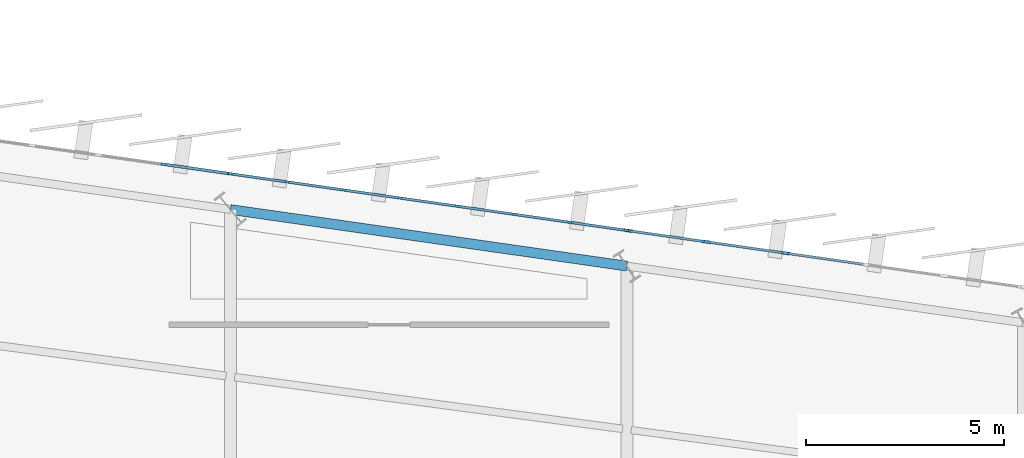
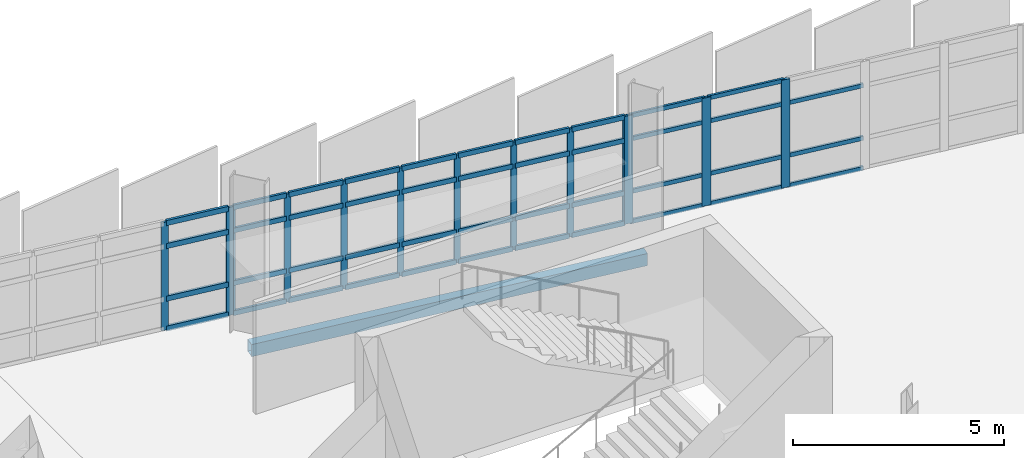
# One storey, part 71 of 120: 56 members, 1 beam, 3 elements without a shape of their own.
"""IFC4 building model written with IfcOpenShell, lengths in metres."""

from ifc_helpers import new_model, si_unit, direction, frame, origin, origin_2d, place, context, subcontext, project, spatial, rectangle, hollow_rectangle, extrude, material, layer, layer_set, material_profile, profile_set, type_object, element, aggregate, save


model = new_model("IFC4")

# Units and contexts
model_context = context("Model", 3, precision=1e-05, world=origin(), true_north=direction((0.0, 1.0)))
body_context = subcontext(model_context, "Body", "Model", "MODEL_VIEW")
ifc_project = project(units=[si_unit("LENGTHUNIT", "METRE"), si_unit("AREAUNIT", "SQUARE_METRE"), si_unit("VOLUMEUNIT", "CUBIC_METRE"), si_unit("PLANEANGLEUNIT", "RADIAN"), si_unit("MASSUNIT", "GRAM", prefix="KILO")], contexts=[model_context])

# Site, building, storey
site_placement = place(None, origin())
site = spatial("IfcSite", under=ifc_project, at=site_placement, CompositionType="ELEMENT")
building_placement = place(site_placement, origin())
building = spatial("IfcBuilding", under=site, at=building_placement, Name="Sohan Crest Arena", CompositionType="ELEMENT")
storey_placement = place(building_placement, frame((0.0, 0.0, 13.5)))
storey = spatial("IfcBuildingStorey", under=building, at=storey_placement, Name="L03", CompositionType="ELEMENT", Elevation=13.5)

# Curtain wall, members
ifc_material_1 = material(Name="Thermally broken anodised aluminium", Category="aluminium")
ifc_layer_1 = layer(ifc_material_1, 0.18994140625, Name="Thermally broken anodised aluminium")
ifc_layer_set_1 = layer_set([ifc_layer_1], Name="Thermally broken anodised aluminium")
curtain_wall_type_1 = type_object("IfcCurtainWallType", Name="ARC-CW05", PredefinedType="NOTDEFINED", material=ifc_layer_set_1)
curtain_wall_1_placement = place(storey_placement, origin())
curtain_wall_1 = element("IfcCurtainWall", 1, at=curtain_wall_1_placement, inside=storey, type_object=curtain_wall_type_1, Name="Unitised curtain wall CW-106", PredefinedType="NOTDEFINED")
ifc_material_profile_1 = material_profile(ifc_material_1, rectangle(XDim=0.06005859375, YDim=0.159912109375, at=origin_2d()), Name="ALU-MULL 60x160")
ifc_profile_set_1 = profile_set([ifc_material_profile_1], Name="Thermally broken anodised aluminium")
member_type_1 = type_object("IfcMemberType", Name="ARC-CW-ML01", PredefinedType="MULLION", material=ifc_profile_set_1)
member_1_placement = place(storey_placement, frame((157.97021484375, 118.333251953125, 0.0), z_axis=(0.0, 0.0, 1.0), x_axis=(-0.141365918403, -0.989957411768, 0.0)))
member_1 = element("IfcMember", 2, at=member_1_placement, type_object=member_type_1, Name="CW-106 mullion 1", PredefinedType="MULLION", context=body_context, shape_type="SweptSolid", body=[
    extrude(rectangle(XDim=0.06005859375, YDim=0.159912109375, at=origin_2d()), origin(), (0.0, 0.0, 1.0), 3.1201171875),
])
member_2_placement = place(storey_placement, frame((156.571533203125, 118.532958984375, 0.0), z_axis=(0.0, 0.0, 1.0), x_axis=(-0.141365918403, -0.989957411768, 0.0)))
member_2 = element("IfcMember", 3, at=member_2_placement, type_object=member_type_1, Name="CW-106 mullion 2", PredefinedType="MULLION", context=body_context, shape_type="SweptSolid", body=[
    extrude(rectangle(XDim=0.06005859375, YDim=0.159912109375, at=origin_2d()), origin(), (0.0, 0.0, 1.0), 3.1201171875),
])
member_3_placement = place(storey_placement, frame((155.142822265625, 118.737060546875, 0.0), z_axis=(0.0, 0.0, 1.0), x_axis=(-0.141365918403, -0.989957411768, 0.0)))
member_3 = element("IfcMember", 4, at=member_3_placement, type_object=member_type_1, Name="CW-106 mullion 3", PredefinedType="MULLION", context=body_context, shape_type="SweptSolid", body=[
    extrude(rectangle(XDim=0.06005859375, YDim=0.159912109375, at=origin_2d()), origin(), (0.0, 0.0, 1.0), 3.1201171875),
])
member_4_placement = place(storey_placement, frame((153.71435546875, 118.94091796875, 0.0), z_axis=(0.0, 0.0, 1.0), x_axis=(-0.141365918403, -0.989957411768, 0.0)))
member_4 = element("IfcMember", 5, at=member_4_placement, type_object=member_type_1, Name="CW-106 mullion 4", PredefinedType="MULLION", context=body_context, shape_type="SweptSolid", body=[
    extrude(rectangle(XDim=0.06005859375, YDim=0.159912109375, at=origin_2d()), origin(), (0.0, 0.0, 1.0), 3.1201171875),
])
member_5_placement = place(storey_placement, frame((152.28564453125, 119.14501953125, 0.0), z_axis=(0.0, 0.0, 1.0), x_axis=(-0.141365918403, -0.989957411768, 0.0)))
member_5 = element("IfcMember", 6, at=member_5_placement, type_object=member_type_1, Name="CW-106 mullion 5", PredefinedType="MULLION", context=body_context, shape_type="SweptSolid", body=[
    extrude(rectangle(XDim=0.06005859375, YDim=0.159912109375, at=origin_2d()), origin(), (0.0, 0.0, 1.0), 3.1201171875),
])
member_6_placement = place(storey_placement, frame((150.857177734375, 119.34912109375, 0.0), z_axis=(0.0, 0.0, 1.0), x_axis=(-0.141365918403, -0.989957411768, 0.0)))
member_6 = element("IfcMember", 7, at=member_6_placement, type_object=member_type_1, Name="CW-106 mullion 6", PredefinedType="MULLION", context=body_context, shape_type="SweptSolid", body=[
    extrude(rectangle(XDim=0.06005859375, YDim=0.159912109375, at=origin_2d()), origin(), (0.0, 0.0, 1.0), 3.1201171875),
])
member_7_placement = place(storey_placement, frame((149.428466796875, 119.552978515625, 0.0), z_axis=(0.0, 0.0, 1.0), x_axis=(-0.141365918403, -0.989957411768, 0.0)))
member_7 = element("IfcMember", 8, at=member_7_placement, type_object=member_type_1, Name="CW-106 mullion 7", PredefinedType="MULLION", context=body_context, shape_type="SweptSolid", body=[
    extrude(rectangle(XDim=0.06005859375, YDim=0.159912109375, at=origin_2d()), origin(), (0.0, 0.0, 1.0), 3.1201171875),
])
member_8_placement = place(storey_placement, frame((148.02978515625, 119.752685546875, 0.0), z_axis=(0.0, 0.0, 1.0), x_axis=(-0.141365918403, -0.989957411768, 0.0)))
member_8 = element("IfcMember", 9, at=member_8_placement, type_object=member_type_1, Name="CW-106 mullion 8", PredefinedType="MULLION", context=body_context, shape_type="SweptSolid", body=[
    extrude(rectangle(XDim=0.06005859375, YDim=0.159912109375, at=origin_2d()), origin(), (0.0, 0.0, 1.0), 3.1201171875),
])

ifc_layer_2 = layer(ifc_material_1, 0.2099609375, Name="Thermally broken anodised aluminium")
ifc_layer_set_2 = layer_set([ifc_layer_2], Name="Thermally broken anodised aluminium")
curtain_wall_type_2 = type_object("IfcCurtainWallType", Name="ARC-CW06", PredefinedType="NOTDEFINED", material=ifc_layer_set_2)
curtain_wall_2_placement = place(storey_placement, origin())
curtain_wall_2 = element("IfcCurtainWall", 10, at=curtain_wall_2_placement, inside=storey, type_object=curtain_wall_type_2, Name="Unitised curtain wall CW-107", PredefinedType="NOTDEFINED")
ifc_material_profile_2 = material_profile(ifc_material_1, rectangle(XDim=0.06494140625, YDim=0.179931640625, at=origin_2d()), Name="ALU-MULL 65x180")
ifc_profile_set_2 = profile_set([ifc_material_profile_2], Name="Thermally broken anodised aluminium")
member_type_2 = type_object("IfcMemberType", Name="ARC-CW-ML02", PredefinedType="MULLION", material=ifc_profile_set_2)
member_9_placement = place(storey_placement, frame((147.9677734375, 119.76171875, 0.0), z_axis=(0.0, 0.0, 1.0), x_axis=(-0.141462933734, -0.989943553128, 0.0)))
member_9 = element("IfcMember", 11, at=member_9_placement, type_object=member_type_2, Name="CW-107 mullion 1", PredefinedType="MULLION", context=body_context, shape_type="SweptSolid", body=[
    extrude(rectangle(XDim=0.06494140625, YDim=0.179931640625, at=origin_2d()), origin(), (0.0, 0.0, 1.0), 3.1201171875),
])
member_10_placement = place(storey_placement, frame((146.333251953125, 119.9951171875, 0.0), z_axis=(0.0, 0.0, 1.0), x_axis=(-0.141462933734, -0.989943553128, 0.0)))
member_10 = element("IfcMember", 12, at=member_10_placement, type_object=member_type_2, Name="CW-107 mullion 2", PredefinedType="MULLION", context=body_context, shape_type="SweptSolid", body=[
    extrude(rectangle(XDim=0.06494140625, YDim=0.179931640625, at=origin_2d()), origin(), (0.0, 0.0, 1.0), 3.1201171875),
])

ifc_layer_3 = layer(ifc_material_1, 0.239990234375, Name="Thermally broken anodised aluminium")
ifc_layer_set_3 = layer_set([ifc_layer_3], Name="Thermally broken anodised aluminium")
curtain_wall_type_3 = type_object("IfcCurtainWallType", Name="ARC-CW04", PredefinedType="NOTDEFINED", material=ifc_layer_set_3)
curtain_wall_3_placement = place(storey_placement, origin())
curtain_wall_3 = element("IfcCurtainWall", 13, at=curtain_wall_3_placement, inside=storey, type_object=curtain_wall_type_3, Name="Unitised curtain wall CW-105", PredefinedType="NOTDEFINED")
ifc_material_profile_3 = material_profile(ifc_material_1, rectangle(XDim=0.074951171875, YDim=0.219970703125, at=origin_2d()), Name="ALU-MULL 75x220")
ifc_profile_set_3 = profile_set([ifc_material_profile_3], Name="Thermally broken anodised aluminium")
member_type_3 = type_object("IfcMemberType", Name="ARC-CW-ML04", PredefinedType="MULLION", material=ifc_profile_set_3)
member_11_placement = place(storey_placement, frame((162.0, 117.75732421875, 0.0), z_axis=(0.0, 0.0, 1.0), x_axis=(-0.141462933734, -0.989943553128, 0.0)))
member_11 = element("IfcMember", 14, at=member_11_placement, type_object=member_type_3, Name="CW-105 mullion 4", PredefinedType="MULLION", context=body_context, shape_type="SweptSolid", body=[
    extrude(rectangle(XDim=0.074951171875, YDim=0.219970703125, at=origin_2d()), origin(), (0.0, 0.0, 1.0), 3.1201171875),
])
member_12_placement = place(storey_placement, frame((160.0, 118.043212890625, 0.0), z_axis=(0.0, 0.0, 1.0), x_axis=(-0.141462933734, -0.989943553128, 0.0)))
member_12 = element("IfcMember", 15, at=member_12_placement, type_object=member_type_3, Name="CW-105 mullion 5", PredefinedType="MULLION", context=body_context, shape_type="SweptSolid", body=[
    extrude(rectangle(XDim=0.074951171875, YDim=0.219970703125, at=origin_2d()), origin(), (0.0, 0.0, 1.0), 3.1201171875),
])
member_13_placement = place(storey_placement, frame((158.037109375, 118.32373046875, 0.0), z_axis=(0.0, 0.0, 1.0), x_axis=(-0.141462933734, -0.989943553128, 0.0)))
member_13 = element("IfcMember", 16, at=member_13_placement, type_object=member_type_3, Name="CW-105 mullion 6", PredefinedType="MULLION", context=body_context, shape_type="SweptSolid", body=[
    extrude(rectangle(XDim=0.074951171875, YDim=0.219970703125, at=origin_2d()), origin(), (0.0, 0.0, 1.0), 3.1201171875),
])
ifc_material_profile_4 = material_profile(ifc_material_1, rectangle(XDim=0.06005859375, YDim=0.1201171875, at=origin_2d()), Name="ALU-TRAN 60x120")
ifc_profile_set_4 = profile_set([ifc_material_profile_4], Name="Thermally broken anodised aluminium")
member_type_4 = type_object("IfcMemberType", Name="ARC-CW-TR01", PredefinedType="USERDEFINED", material=ifc_profile_set_4)
member_14_placement = place(storey_placement, frame((163.962890625, 117.476806640625, 0.030029296875), z_axis=(-0.989929403979, 0.141561912739, 0.0), x_axis=(-0.141561912739, -0.989929403979, 0.0)))
member_14 = element("IfcMember", 17, at=member_14_placement, type_object=member_type_4, Name="CW-105 transom 3.1", ObjectType="TRANSOM", PredefinedType="USERDEFINED", context=body_context, shape_type="SweptSolid", body=[
    extrude(rectangle(XDim=0.06005859375, YDim=0.1201171875, at=origin_2d()), origin(), (0.0, 0.0, 1.0), 1.9453125),
])
member_15_placement = place(storey_placement, frame((163.962890625, 117.476806640625, 0.89990234375), z_axis=(-0.989929403979, 0.141561912739, 0.0), x_axis=(-0.141561912739, -0.989929403979, 0.0)))
member_15 = element("IfcMember", 18, at=member_15_placement, type_object=member_type_4, Name="CW-105 transom 3.2", ObjectType="TRANSOM", PredefinedType="USERDEFINED", context=body_context, shape_type="SweptSolid", body=[
    extrude(rectangle(XDim=0.06005859375, YDim=0.1201171875, at=origin_2d()), origin(), (0.0, 0.0, 1.0), 1.9453125),
])
member_16_placement = place(storey_placement, frame((163.962890625, 117.476806640625, 2.419921875), z_axis=(-0.989929403979, 0.141561912739, 0.0), x_axis=(-0.141561912739, -0.989929403979, 0.0)))
member_16 = element("IfcMember", 19, at=member_16_placement, type_object=member_type_4, Name="CW-105 transom 3.3", ObjectType="TRANSOM", PredefinedType="USERDEFINED", context=body_context, shape_type="SweptSolid", body=[
    extrude(rectangle(XDim=0.06005859375, YDim=0.1201171875, at=origin_2d()), origin(), (0.0, 0.0, 1.0), 1.9453125),
])
member_17_placement = place(storey_placement, frame((161.962890625, 117.7626953125, 0.030029296875), z_axis=(-0.989946983498, 0.141438926268, 0.0), x_axis=(-0.141438926268, -0.989946983498, 0.0)))
member_17 = element("IfcMember", 20, at=member_17_placement, type_object=member_type_4, Name="CW-105 transom 4.1", ObjectType="TRANSOM", PredefinedType="USERDEFINED", context=body_context, shape_type="SweptSolid", body=[
    extrude(rectangle(XDim=0.06005859375, YDim=0.1201171875, at=origin_2d()), origin(), (0.0, 0.0, 1.0), 1.9453125),
])
member_18_placement = place(storey_placement, frame((161.962890625, 117.7626953125, 0.89990234375), z_axis=(-0.989946983498, 0.141438926268, 0.0), x_axis=(-0.141438926268, -0.989946983498, 0.0)))
member_18 = element("IfcMember", 21, at=member_18_placement, type_object=member_type_4, Name="CW-105 transom 4.2", ObjectType="TRANSOM", PredefinedType="USERDEFINED", context=body_context, shape_type="SweptSolid", body=[
    extrude(rectangle(XDim=0.06005859375, YDim=0.1201171875, at=origin_2d()), origin(), (0.0, 0.0, 1.0), 1.9453125),
])
member_19_placement = place(storey_placement, frame((161.962890625, 117.7626953125, 2.419921875), z_axis=(-0.989946983498, 0.141438926268, 0.0), x_axis=(-0.141438926268, -0.989946983498, 0.0)))
member_19 = element("IfcMember", 22, at=member_19_placement, type_object=member_type_4, Name="CW-105 transom 4.3", ObjectType="TRANSOM", PredefinedType="USERDEFINED", context=body_context, shape_type="SweptSolid", body=[
    extrude(rectangle(XDim=0.06005859375, YDim=0.1201171875, at=origin_2d()), origin(), (0.0, 0.0, 1.0), 1.9453125),
])
member_20_placement = place(storey_placement, frame((161.962890625, 117.7626953125, 3.090087890625), z_axis=(-0.989946983498, 0.141438926268, 0.0), x_axis=(-0.141438926268, -0.989946983498, 0.0)))
member_20 = element("IfcMember", 23, at=member_20_placement, type_object=member_type_4, Name="CW-105 transom 4.4", ObjectType="TRANSOM", PredefinedType="USERDEFINED", context=body_context, shape_type="SweptSolid", body=[
    extrude(rectangle(XDim=0.06005859375, YDim=0.1201171875, at=origin_2d()), origin(), (0.0, 0.0, 1.0), 1.9453125),
])
member_21_placement = place(storey_placement, frame((159.962890625, 118.048583984375, 0.030029296875), z_axis=(-0.989952052837, 0.141403440846, 0.0), x_axis=(-0.141403440846, -0.989952052837, 0.0)))
member_21 = element("IfcMember", 24, at=member_21_placement, type_object=member_type_4, Name="CW-105 transom 5.1", ObjectType="TRANSOM", PredefinedType="USERDEFINED", context=body_context, shape_type="SweptSolid", body=[
    extrude(rectangle(XDim=0.06005859375, YDim=0.1201171875, at=origin_2d()), origin(), (0.0, 0.0, 1.0), 1.907958984375),
])
member_22_placement = place(storey_placement, frame((159.962890625, 118.048583984375, 0.89990234375), z_axis=(-0.989952052837, 0.141403440846, 0.0), x_axis=(-0.141403440846, -0.989952052837, 0.0)))
member_22 = element("IfcMember", 25, at=member_22_placement, type_object=member_type_4, Name="CW-105 transom 5.2", ObjectType="TRANSOM", PredefinedType="USERDEFINED", context=body_context, shape_type="SweptSolid", body=[
    extrude(rectangle(XDim=0.06005859375, YDim=0.1201171875, at=origin_2d()), origin(), (0.0, 0.0, 1.0), 1.907958984375),
])
member_23_placement = place(storey_placement, frame((159.962890625, 118.048583984375, 2.419921875), z_axis=(-0.989952052837, 0.141403440846, 0.0), x_axis=(-0.141403440846, -0.989952052837, 0.0)))
member_23 = element("IfcMember", 26, at=member_23_placement, type_object=member_type_4, Name="CW-105 transom 5.3", ObjectType="TRANSOM", PredefinedType="USERDEFINED", context=body_context, shape_type="SweptSolid", body=[
    extrude(rectangle(XDim=0.06005859375, YDim=0.1201171875, at=origin_2d()), origin(), (0.0, 0.0, 1.0), 1.907958984375),
])
member_24_placement = place(storey_placement, frame((159.962890625, 118.048583984375, 3.090087890625), z_axis=(-0.989952052837, 0.141403440846, 0.0), x_axis=(-0.141403440846, -0.989952052837, 0.0)))
member_24 = element("IfcMember", 27, at=member_24_placement, type_object=member_type_4, Name="CW-105 transom 5.4", ObjectType="TRANSOM", PredefinedType="USERDEFINED", context=body_context, shape_type="SweptSolid", body=[
    extrude(rectangle(XDim=0.06005859375, YDim=0.1201171875, at=origin_2d()), origin(), (0.0, 0.0, 1.0), 1.907958984375),
])
aggregate(curtain_wall_3, [member_11, member_12, member_13, member_14, member_15, member_16, member_17, member_18, member_19, member_20, member_21, member_22, member_23, member_24])

# Member
ifc_material_profile_5 = material_profile(ifc_material_1, rectangle(XDim=0.06494140625, YDim=0.139892578125, at=origin_2d()), Name="ALU-TRAN 65x140")
ifc_profile_set_5 = profile_set([ifc_material_profile_5], Name="Thermally broken anodised aluminium")
member_type_5 = type_object("IfcMemberType", Name="ARC-CW-TR02", PredefinedType="USERDEFINED", material=ifc_profile_set_5)
member_25_placement = place(storey_placement, frame((157.940673828125, 118.33740234375, 0.032470703125), z_axis=(-0.989945885007, 0.141446614515, 0.0), x_axis=(-0.141446614515, -0.989945885007, 0.0)))
member_25 = element("IfcMember", 28, at=member_25_placement, type_object=member_type_5, Name="CW-106 transom 1.1", ObjectType="TRANSOM", PredefinedType="USERDEFINED", context=body_context, shape_type="SweptSolid", body=[
    extrude(rectangle(XDim=0.06494140625, YDim=0.139892578125, at=origin_2d()), origin(), (0.0, 0.0, 1.0), 1.353271484375),
])

member_26_placement = place(storey_placement, frame((157.940673828125, 118.33740234375, 0.89990234375), z_axis=(-0.989945885007, 0.141446614515, 0.0), x_axis=(-0.141446614515, -0.989945885007, 0.0)))
member_26 = element("IfcMember", 29, at=member_26_placement, type_object=member_type_5, Name="CW-106 transom 1.2", ObjectType="TRANSOM", PredefinedType="USERDEFINED", context=body_context, shape_type="SweptSolid", body=[
    extrude(rectangle(XDim=0.06494140625, YDim=0.139892578125, at=origin_2d()), origin(), (0.0, 0.0, 1.0), 1.353271484375),
])

member_27_placement = place(storey_placement, frame((157.940673828125, 118.33740234375, 2.419921875), z_axis=(-0.989945885007, 0.141446614515, 0.0), x_axis=(-0.141446614515, -0.989945885007, 0.0)))
member_27 = element("IfcMember", 30, at=member_27_placement, type_object=member_type_5, Name="CW-106 transom 1.3", ObjectType="TRANSOM", PredefinedType="USERDEFINED", context=body_context, shape_type="SweptSolid", body=[
    extrude(rectangle(XDim=0.06494140625, YDim=0.139892578125, at=origin_2d()), origin(), (0.0, 0.0, 1.0), 1.353271484375),
])

member_28_placement = place(storey_placement, frame((157.940673828125, 118.33740234375, 3.08740234375), z_axis=(-0.989945885007, 0.141446614515, 0.0), x_axis=(-0.141446614515, -0.989945885007, 0.0)))
member_28 = element("IfcMember", 31, at=member_28_placement, type_object=member_type_5, Name="CW-106 transom 1.4", ObjectType="TRANSOM", PredefinedType="USERDEFINED", context=body_context, shape_type="SweptSolid", body=[
    extrude(rectangle(XDim=0.06494140625, YDim=0.139892578125, at=origin_2d()), origin(), (0.0, 0.0, 1.0), 1.353271484375),
])

member_29_placement = place(storey_placement, frame((156.541748046875, 118.537353515625, 0.032470703125), z_axis=(-0.989977718646, 0.14122364032, 0.0), x_axis=(-0.14122364032, -0.989977718646, 0.0)))
member_29 = element("IfcMember", 32, at=member_29_placement, type_object=member_type_5, Name="CW-106 transom 2.1", ObjectType="TRANSOM", PredefinedType="USERDEFINED", context=body_context, shape_type="SweptSolid", body=[
    extrude(rectangle(XDim=0.06494140625, YDim=0.139892578125, at=origin_2d()), origin(), (0.0, 0.0, 1.0), 1.383056640625),
])

member_30_placement = place(storey_placement, frame((156.541748046875, 118.537353515625, 0.89990234375), z_axis=(-0.989977718646, 0.14122364032, 0.0), x_axis=(-0.14122364032, -0.989977718646, 0.0)))
member_30 = element("IfcMember", 33, at=member_30_placement, type_object=member_type_5, Name="CW-106 transom 2.2", ObjectType="TRANSOM", PredefinedType="USERDEFINED", context=body_context, shape_type="SweptSolid", body=[
    extrude(rectangle(XDim=0.06494140625, YDim=0.139892578125, at=origin_2d()), origin(), (0.0, 0.0, 1.0), 1.383056640625),
])

member_31_placement = place(storey_placement, frame((156.541748046875, 118.537353515625, 2.419921875), z_axis=(-0.989977718646, 0.14122364032, 0.0), x_axis=(-0.14122364032, -0.989977718646, 0.0)))
member_31 = element("IfcMember", 34, at=member_31_placement, type_object=member_type_5, Name="CW-106 transom 2.3", ObjectType="TRANSOM", PredefinedType="USERDEFINED", context=body_context, shape_type="SweptSolid", body=[
    extrude(rectangle(XDim=0.06494140625, YDim=0.139892578125, at=origin_2d()), origin(), (0.0, 0.0, 1.0), 1.383056640625),
])

member_32_placement = place(storey_placement, frame((156.541748046875, 118.537353515625, 3.08740234375), z_axis=(-0.989977718646, 0.14122364032, 0.0), x_axis=(-0.14122364032, -0.989977718646, 0.0)))
member_32 = element("IfcMember", 35, at=member_32_placement, type_object=member_type_5, Name="CW-106 transom 2.4", ObjectType="TRANSOM", PredefinedType="USERDEFINED", context=body_context, shape_type="SweptSolid", body=[
    extrude(rectangle(XDim=0.06494140625, YDim=0.139892578125, at=origin_2d()), origin(), (0.0, 0.0, 1.0), 1.383056640625),
])

member_33_placement = place(storey_placement, frame((155.113037109375, 118.7412109375, 0.032470703125), z_axis=(-0.989953023856, 0.141396642673, 0.0), x_axis=(-0.141396642673, -0.989953023856, 0.0)))
member_33 = element("IfcMember", 36, at=member_33_placement, type_object=member_type_5, Name="CW-106 transom 3.1", ObjectType="TRANSOM", PredefinedType="USERDEFINED", context=body_context, shape_type="SweptSolid", body=[
    extrude(rectangle(XDim=0.06494140625, YDim=0.139892578125, at=origin_2d()), origin(), (0.0, 0.0, 1.0), 1.383056640625),
])

member_34_placement = place(storey_placement, frame((155.113037109375, 118.7412109375, 0.89990234375), z_axis=(-0.989953023856, 0.141396642673, 0.0), x_axis=(-0.141396642673, -0.989953023856, 0.0)))
member_34 = element("IfcMember", 37, at=member_34_placement, type_object=member_type_5, Name="CW-106 transom 3.2", ObjectType="TRANSOM", PredefinedType="USERDEFINED", context=body_context, shape_type="SweptSolid", body=[
    extrude(rectangle(XDim=0.06494140625, YDim=0.139892578125, at=origin_2d()), origin(), (0.0, 0.0, 1.0), 1.383056640625),
])

member_35_placement = place(storey_placement, frame((155.113037109375, 118.7412109375, 2.419921875), z_axis=(-0.989953023856, 0.141396642673, 0.0), x_axis=(-0.141396642673, -0.989953023856, 0.0)))
member_35 = element("IfcMember", 38, at=member_35_placement, type_object=member_type_5, Name="CW-106 transom 3.3", ObjectType="TRANSOM", PredefinedType="USERDEFINED", context=body_context, shape_type="SweptSolid", body=[
    extrude(rectangle(XDim=0.06494140625, YDim=0.139892578125, at=origin_2d()), origin(), (0.0, 0.0, 1.0), 1.383056640625),
])

member_36_placement = place(storey_placement, frame((155.113037109375, 118.7412109375, 3.08740234375), z_axis=(-0.989953023856, 0.141396642673, 0.0), x_axis=(-0.141396642673, -0.989953023856, 0.0)))
member_36 = element("IfcMember", 39, at=member_36_placement, type_object=member_type_5, Name="CW-106 transom 3.4", ObjectType="TRANSOM", PredefinedType="USERDEFINED", context=body_context, shape_type="SweptSolid", body=[
    extrude(rectangle(XDim=0.06494140625, YDim=0.139892578125, at=origin_2d()), origin(), (0.0, 0.0, 1.0), 1.383056640625),
])

member_37_placement = place(storey_placement, frame((153.6845703125, 118.9453125, 0.032470703125), z_axis=(-0.989953023856, 0.141396642673, 0.0), x_axis=(-0.141396642673, -0.989953023856, 0.0)))
member_37 = element("IfcMember", 40, at=member_37_placement, type_object=member_type_5, Name="CW-106 transom 4.1", ObjectType="TRANSOM", PredefinedType="USERDEFINED", context=body_context, shape_type="SweptSolid", body=[
    extrude(rectangle(XDim=0.06494140625, YDim=0.139892578125, at=origin_2d()), origin(), (0.0, 0.0, 1.0), 1.383056640625),
])

member_38_placement = place(storey_placement, frame((153.6845703125, 118.9453125, 0.89990234375), z_axis=(-0.989953023856, 0.141396642673, 0.0), x_axis=(-0.141396642673, -0.989953023856, 0.0)))
member_38 = element("IfcMember", 41, at=member_38_placement, type_object=member_type_5, Name="CW-106 transom 4.2", ObjectType="TRANSOM", PredefinedType="USERDEFINED", context=body_context, shape_type="SweptSolid", body=[
    extrude(rectangle(XDim=0.06494140625, YDim=0.139892578125, at=origin_2d()), origin(), (0.0, 0.0, 1.0), 1.383056640625),
])

member_39_placement = place(storey_placement, frame((153.6845703125, 118.9453125, 2.419921875), z_axis=(-0.989953023856, 0.141396642673, 0.0), x_axis=(-0.141396642673, -0.989953023856, 0.0)))
member_39 = element("IfcMember", 42, at=member_39_placement, type_object=member_type_5, Name="CW-106 transom 4.3", ObjectType="TRANSOM", PredefinedType="USERDEFINED", context=body_context, shape_type="SweptSolid", body=[
    extrude(rectangle(XDim=0.06494140625, YDim=0.139892578125, at=origin_2d()), origin(), (0.0, 0.0, 1.0), 1.383056640625),
])

member_40_placement = place(storey_placement, frame((153.6845703125, 118.9453125, 3.08740234375), z_axis=(-0.989953023856, 0.141396642673, 0.0), x_axis=(-0.141396642673, -0.989953023856, 0.0)))
member_40 = element("IfcMember", 43, at=member_40_placement, type_object=member_type_5, Name="CW-106 transom 4.4", ObjectType="TRANSOM", PredefinedType="USERDEFINED", context=body_context, shape_type="SweptSolid", body=[
    extrude(rectangle(XDim=0.06494140625, YDim=0.139892578125, at=origin_2d()), origin(), (0.0, 0.0, 1.0), 1.383056640625),
])

member_41_placement = place(storey_placement, frame((152.256103515625, 119.149169921875, 0.032470703125), z_axis=(-0.989953023856, 0.141396642673, 0.0), x_axis=(-0.141396642673, -0.989953023856, 0.0)))
member_41 = element("IfcMember", 44, at=member_41_placement, type_object=member_type_5, Name="CW-106 transom 5.1", ObjectType="TRANSOM", PredefinedType="USERDEFINED", context=body_context, shape_type="SweptSolid", body=[
    extrude(rectangle(XDim=0.06494140625, YDim=0.139892578125, at=origin_2d()), origin(), (0.0, 0.0, 1.0), 1.383056640625),
])

member_42_placement = place(storey_placement, frame((152.256103515625, 119.149169921875, 0.89990234375), z_axis=(-0.989953023856, 0.141396642673, 0.0), x_axis=(-0.141396642673, -0.989953023856, 0.0)))
member_42 = element("IfcMember", 45, at=member_42_placement, type_object=member_type_5, Name="CW-106 transom 5.2", ObjectType="TRANSOM", PredefinedType="USERDEFINED", context=body_context, shape_type="SweptSolid", body=[
    extrude(rectangle(XDim=0.06494140625, YDim=0.139892578125, at=origin_2d()), origin(), (0.0, 0.0, 1.0), 1.383056640625),
])

member_43_placement = place(storey_placement, frame((152.256103515625, 119.149169921875, 2.419921875), z_axis=(-0.989953023856, 0.141396642673, 0.0), x_axis=(-0.141396642673, -0.989953023856, 0.0)))
member_43 = element("IfcMember", 46, at=member_43_placement, type_object=member_type_5, Name="CW-106 transom 5.3", ObjectType="TRANSOM", PredefinedType="USERDEFINED", context=body_context, shape_type="SweptSolid", body=[
    extrude(rectangle(XDim=0.06494140625, YDim=0.139892578125, at=origin_2d()), origin(), (0.0, 0.0, 1.0), 1.383056640625),
])

member_44_placement = place(storey_placement, frame((152.256103515625, 119.149169921875, 3.08740234375), z_axis=(-0.989953023856, 0.141396642673, 0.0), x_axis=(-0.141396642673, -0.989953023856, 0.0)))
member_44 = element("IfcMember", 47, at=member_44_placement, type_object=member_type_5, Name="CW-106 transom 5.4", ObjectType="TRANSOM", PredefinedType="USERDEFINED", context=body_context, shape_type="SweptSolid", body=[
    extrude(rectangle(XDim=0.06494140625, YDim=0.139892578125, at=origin_2d()), origin(), (0.0, 0.0, 1.0), 1.383056640625),
])

member_45_placement = place(storey_placement, frame((150.827392578125, 119.353271484375, 0.032470703125), z_axis=(-0.989953023856, 0.141396642673, 0.0), x_axis=(-0.141396642673, -0.989953023856, 0.0)))
member_45 = element("IfcMember", 48, at=member_45_placement, type_object=member_type_5, Name="CW-106 transom 6.1", ObjectType="TRANSOM", PredefinedType="USERDEFINED", context=body_context, shape_type="SweptSolid", body=[
    extrude(rectangle(XDim=0.06494140625, YDim=0.139892578125, at=origin_2d()), origin(), (0.0, 0.0, 1.0), 1.383056640625),
])

member_46_placement = place(storey_placement, frame((150.827392578125, 119.353271484375, 0.89990234375), z_axis=(-0.989953023856, 0.141396642673, 0.0), x_axis=(-0.141396642673, -0.989953023856, 0.0)))
member_46 = element("IfcMember", 49, at=member_46_placement, type_object=member_type_5, Name="CW-106 transom 6.2", ObjectType="TRANSOM", PredefinedType="USERDEFINED", context=body_context, shape_type="SweptSolid", body=[
    extrude(rectangle(XDim=0.06494140625, YDim=0.139892578125, at=origin_2d()), origin(), (0.0, 0.0, 1.0), 1.383056640625),
])

member_47_placement = place(storey_placement, frame((150.827392578125, 119.353271484375, 2.419921875), z_axis=(-0.989953023856, 0.141396642673, 0.0), x_axis=(-0.141396642673, -0.989953023856, 0.0)))
member_47 = element("IfcMember", 50, at=member_47_placement, type_object=member_type_5, Name="CW-106 transom 6.3", ObjectType="TRANSOM", PredefinedType="USERDEFINED", context=body_context, shape_type="SweptSolid", body=[
    extrude(rectangle(XDim=0.06494140625, YDim=0.139892578125, at=origin_2d()), origin(), (0.0, 0.0, 1.0), 1.383056640625),
])

member_48_placement = place(storey_placement, frame((150.827392578125, 119.353271484375, 3.08740234375), z_axis=(-0.989953023856, 0.141396642673, 0.0), x_axis=(-0.141396642673, -0.989953023856, 0.0)))
member_48 = element("IfcMember", 51, at=member_48_placement, type_object=member_type_5, Name="CW-106 transom 6.4", ObjectType="TRANSOM", PredefinedType="USERDEFINED", context=body_context, shape_type="SweptSolid", body=[
    extrude(rectangle(XDim=0.06494140625, YDim=0.139892578125, at=origin_2d()), origin(), (0.0, 0.0, 1.0), 1.383056640625),
])

member_49_placement = place(storey_placement, frame((149.39892578125, 119.55712890625, 0.032470703125), z_axis=(-0.989945885007, 0.141446614515, 0.0), x_axis=(-0.141446614515, -0.989945885007, 0.0)))
member_49 = element("IfcMember", 52, at=member_49_placement, type_object=member_type_5, Name="CW-106 transom 7.1", ObjectType="TRANSOM", PredefinedType="USERDEFINED", context=body_context, shape_type="SweptSolid", body=[
    extrude(rectangle(XDim=0.06494140625, YDim=0.139892578125, at=origin_2d()), origin(), (0.0, 0.0, 1.0), 1.353271484375),
])

member_50_placement = place(storey_placement, frame((149.39892578125, 119.55712890625, 0.89990234375), z_axis=(-0.989945885007, 0.141446614515, 0.0), x_axis=(-0.141446614515, -0.989945885007, 0.0)))
member_50 = element("IfcMember", 53, at=member_50_placement, type_object=member_type_5, Name="CW-106 transom 7.2", ObjectType="TRANSOM", PredefinedType="USERDEFINED", context=body_context, shape_type="SweptSolid", body=[
    extrude(rectangle(XDim=0.06494140625, YDim=0.139892578125, at=origin_2d()), origin(), (0.0, 0.0, 1.0), 1.353271484375),
])

member_51_placement = place(storey_placement, frame((149.39892578125, 119.55712890625, 2.419921875), z_axis=(-0.989945885007, 0.141446614515, 0.0), x_axis=(-0.141446614515, -0.989945885007, 0.0)))
member_51 = element("IfcMember", 54, at=member_51_placement, type_object=member_type_5, Name="CW-106 transom 7.3", ObjectType="TRANSOM", PredefinedType="USERDEFINED", context=body_context, shape_type="SweptSolid", body=[
    extrude(rectangle(XDim=0.06494140625, YDim=0.139892578125, at=origin_2d()), origin(), (0.0, 0.0, 1.0), 1.353271484375),
])

member_52_placement = place(storey_placement, frame((149.39892578125, 119.55712890625, 3.08740234375), z_axis=(-0.989945885007, 0.141446614515, 0.0), x_axis=(-0.141446614515, -0.989945885007, 0.0)))
member_52 = element("IfcMember", 55, at=member_52_placement, type_object=member_type_5, Name="CW-106 transom 7.4", ObjectType="TRANSOM", PredefinedType="USERDEFINED", context=body_context, shape_type="SweptSolid", body=[
    extrude(rectangle(XDim=0.06494140625, YDim=0.139892578125, at=origin_2d()), origin(), (0.0, 0.0, 1.0), 1.353271484375),
])

aggregate(curtain_wall_1, [member_1, member_2, member_3, member_4, member_5, member_6, member_7, member_8, member_25, member_26, member_27, member_28, member_29, member_30, member_31, member_32, member_33, member_34, member_35, member_36, member_37, member_38, member_39, member_40, member_41, member_42, member_43, member_44, member_45, member_46, member_47, member_48, member_49, member_50, member_51, member_52])

ifc_material_profile_6 = material_profile(ifc_material_1, rectangle(XDim=0.070068359375, YDim=0.14990234375, at=origin_2d()), Name="ALU-TRAN 70x150")
ifc_profile_set_6 = profile_set([ifc_material_profile_6], Name="Thermally broken anodised aluminium")
member_type_6 = type_object("IfcMemberType", Name="ARC-CW-TR03", PredefinedType="USERDEFINED", material=ifc_profile_set_6)
member_53_placement = place(storey_placement, frame((147.935546875, 119.76611328125, 0.034912109375), z_axis=(-0.989943335402, 0.141464457353, 0.0), x_axis=(-0.141464457353, -0.989943335402, 0.0)))
member_53 = element("IfcMember", 56, at=member_53_placement, type_object=member_type_6, Name="CW-107 transom 1.1", ObjectType="TRANSOM", PredefinedType="USERDEFINED", context=body_context, shape_type="SweptSolid", body=[
    extrude(rectangle(XDim=0.070068359375, YDim=0.14990234375, at=origin_2d()), origin(), (0.0, 0.0, 1.0), 1.5859375),
])

member_54_placement = place(storey_placement, frame((147.935546875, 119.76611328125, 0.89990234375), z_axis=(-0.989943335402, 0.141464457353, 0.0), x_axis=(-0.141464457353, -0.989943335402, 0.0)))
member_54 = element("IfcMember", 57, at=member_54_placement, type_object=member_type_6, Name="CW-107 transom 1.2", ObjectType="TRANSOM", PredefinedType="USERDEFINED", context=body_context, shape_type="SweptSolid", body=[
    extrude(rectangle(XDim=0.070068359375, YDim=0.14990234375, at=origin_2d()), origin(), (0.0, 0.0, 1.0), 1.5859375),
])

member_55_placement = place(storey_placement, frame((147.935546875, 119.76611328125, 2.419921875), z_axis=(-0.989943335402, 0.141464457353, 0.0), x_axis=(-0.141464457353, -0.989943335402, 0.0)))
member_55 = element("IfcMember", 58, at=member_55_placement, type_object=member_type_6, Name="CW-107 transom 1.3", ObjectType="TRANSOM", PredefinedType="USERDEFINED", context=body_context, shape_type="SweptSolid", body=[
    extrude(rectangle(XDim=0.070068359375, YDim=0.14990234375, at=origin_2d()), origin(), (0.0, 0.0, 1.0), 1.5859375),
])

member_56_placement = place(storey_placement, frame((147.935546875, 119.76611328125, 3.0849609375), z_axis=(-0.989943335402, 0.141464457353, 0.0), x_axis=(-0.141464457353, -0.989943335402, 0.0)))
member_56 = element("IfcMember", 59, at=member_56_placement, type_object=member_type_6, Name="CW-107 transom 1.4", ObjectType="TRANSOM", PredefinedType="USERDEFINED", context=body_context, shape_type="SweptSolid", body=[
    extrude(rectangle(XDim=0.070068359375, YDim=0.14990234375, at=origin_2d()), origin(), (0.0, 0.0, 1.0), 1.5859375),
])

aggregate(curtain_wall_2, [member_9, member_10, member_53, member_54, member_55, member_56])

# Beam
ifc_material_2 = material(Name="Steel S355", Category="steel")
ifc_material_profile_7 = material_profile(ifc_material_2, hollow_rectangle(XDim=0.25, YDim=0.35009765625, WallThickness=0.012451171875, at=origin_2d()), Name="RHS 350x250x12.5")
ifc_profile_set_7 = profile_set([ifc_material_profile_7], Name="Steel S355")
beam_type = type_object("IfcBeamType", Name="STR-BM-SP04", PredefinedType="SPANDREL", material=ifc_profile_set_7)
beam_placement = place(storey_placement, frame((158.0, 117.428955078125, -0.425048828125), z_axis=(-0.989957709412, 0.141363834042, 0.0), x_axis=(-0.141363834042, -0.989957709412, 0.0)))
element("IfcBeam", 60, at=beam_placement, inside=storey, type_object=beam_type, Name="Structural beam SP-L03-1527", PredefinedType="SPANDREL", context=body_context, shape_type="SweptSolid", body=[
    extrude(hollow_rectangle(XDim=0.25, YDim=0.35009765625, WallThickness=0.012451171875, at=origin_2d()), origin(), (0.0, 0.0, 1.0), 10.1015625),
])

save(model, "model.ifc")
